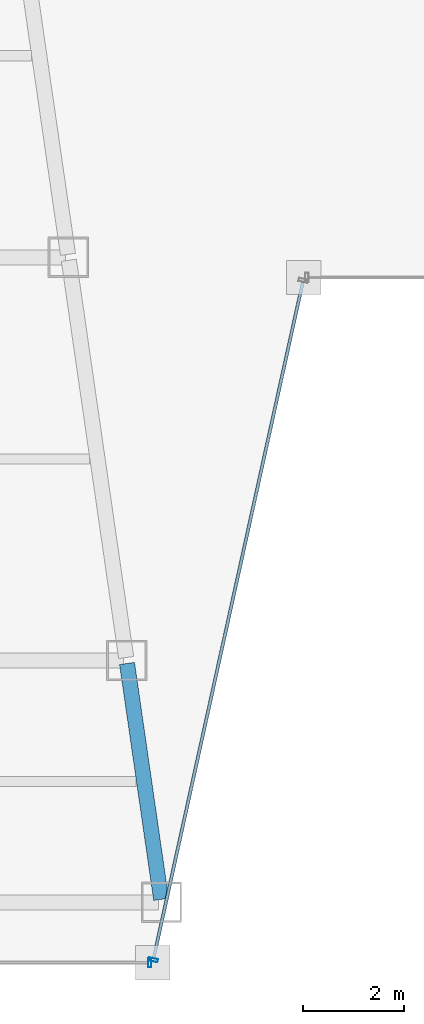
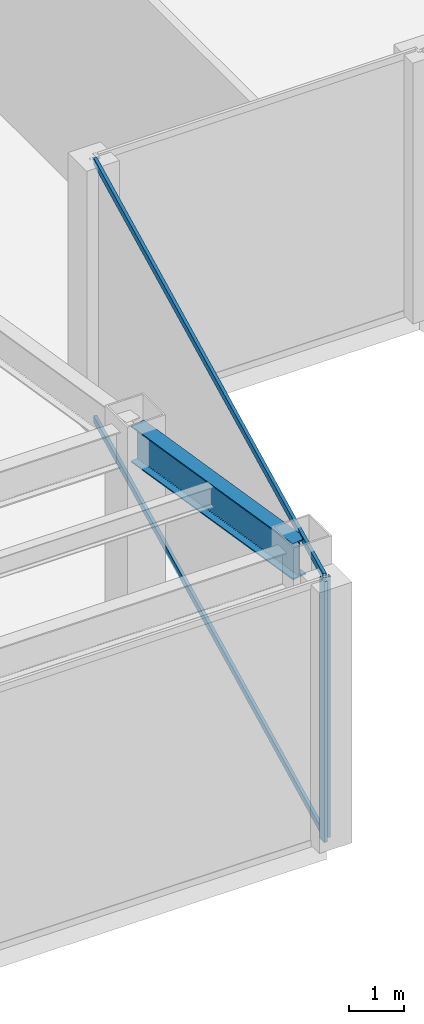
# One storey, part 7 of 35: 4 members, 1 beam, 2 elements without a shape of their own.
"""IFC4 building model written with IfcOpenShell, lengths in metres."""

from ifc_helpers import new_model, si_unit, direction, frame, origin, origin_2d, place, context, subcontext, project, spatial, hollow_rectangle, i_section, extrude, material, material_profile, profile_set, type_object, element, aggregate, save


model = new_model("IFC4")

# Units and contexts
model_context = context("Model", 3, precision=1e-05, world=origin(), true_north=direction((0.0, 1.0)))
body_context = subcontext(model_context, "Body", "Model", "MODEL_VIEW")
ifc_project = project(units=[si_unit("LENGTHUNIT", "METRE"), si_unit("AREAUNIT", "SQUARE_METRE"), si_unit("VOLUMEUNIT", "CUBIC_METRE"), si_unit("PLANEANGLEUNIT", "RADIAN"), si_unit("MASSUNIT", "GRAM", prefix="KILO")], contexts=[model_context])

# Site, building, storey
site_placement = place(None, origin())
site = spatial("IfcSite", under=ifc_project, at=site_placement, CompositionType="ELEMENT")
building_placement = place(site_placement, origin())
building = spatial("IfcBuilding", under=site, at=building_placement, Name="Saevonmaru Cultural Tower", CompositionType="ELEMENT")
storey_placement = place(building_placement, frame((0.0, 0.0, 86.800048828125)))
storey = spatial("IfcBuildingStorey", under=building, at=storey_placement, Name="L18", CompositionType="ELEMENT", Elevation=86.800048828125)

# Beam
ifc_material_1 = material(Name="Steel SM420", Category="steel")
ifc_material_profile_1 = material_profile(ifc_material_1, i_section(OverallWidth=0.300048828125, OverallDepth=0.800048828125, WebThickness=0.013916015625, FlangeThickness=0.02587890625, FilletRadius=0.028076171875, at=origin_2d()), Name="H-800x300x14x26")
ifc_profile_set_1 = profile_set([ifc_material_profile_1], Name="Steel SM420")
beam_type = type_object("IfcBeamType", Name="BM-G-H800", PredefinedType="BEAM", material=ifc_profile_set_1)
beam_placement = place(storey_placement, frame((23.768310546875, 3.259521484375, 5.349853515625), z_axis=(-0.143083234893, 0.989710658674, 0.0), x_axis=(-0.989710658674, -0.143083234893, 0.0)))
element("IfcBeam", 1, at=beam_placement, inside=storey, type_object=beam_type, Name="L18 West Atrium Girder 1", PredefinedType="BEAM", context=body_context, shape_type="SweptSolid", body=[
    extrude(i_section(OverallWidth=0.300048828125, OverallDepth=0.800048828125, WebThickness=0.013916015625, FlangeThickness=0.02587890625, FilletRadius=0.028076171875, at=origin_2d()), origin(), (0.0, 0.0, 1.0), 4.729736328125),
])

# Curtain wall, member
ifc_material_2 = material(Name="Satin Bronze Anodised Aluminium", Category="aluminium")
curtain_wall_type = type_object("IfcCurtainWallType", Name="CW-TYP-A", PredefinedType="NOTDEFINED", material=ifc_material_2)
curtain_wall_1_placement = place(storey_placement, origin())
curtain_wall_1 = element("IfcCurtainWall", 2, at=curtain_wall_1_placement, inside=storey, type_object=curtain_wall_type, Name="L18 Wind-Floor Acoustic Louvre Screen E2", PredefinedType="NOTDEFINED")
ifc_material_profile_2 = material_profile(ifc_material_2, hollow_rectangle(XDim=0.06494140625, YDim=0.179931640625, WallThickness=0.00390625, at=origin_2d()), Name="ALU-MULL-180x65x4")
ifc_profile_set_2 = profile_set([ifc_material_profile_2], Name="Satin Bronze Anodised Aluminium")
member_type_1 = type_object("IfcMemberType", Name="ML-CW-180x65", PredefinedType="MULLION", material=ifc_profile_set_2)
member_1_placement = place(storey_placement, frame((23.5400390625, 2.0, 0.0), z_axis=(0.0, 0.0, 1.0), x_axis=(1.0, 0.0, 0.0)))
member_1 = element("IfcMember", 3, at=member_1_placement, type_object=member_type_1, Name="CW-TW-L18-E2 mullion 2", PredefinedType="MULLION", context=body_context, shape_type="SweptSolid", body=[
    extrude(hollow_rectangle(XDim=0.06494140625, YDim=0.179931640625, WallThickness=0.00390625, at=origin_2d()), origin(), (0.0, 0.0, 1.0), 5.75),
])
aggregate(curtain_wall_1, [member_1])

# Curtain wall, members
curtain_wall_2_placement = place(storey_placement, origin())
curtain_wall_2 = element("IfcCurtainWall", 4, at=curtain_wall_2_placement, inside=storey, type_object=curtain_wall_type, Name="L18 Wind-Floor Acoustic Louvre Screen E3", PredefinedType="NOTDEFINED")
member_2_placement = place(storey_placement, frame((23.61279296875, 2.05859375, 0.0), z_axis=(0.0, 0.0, 1.0), x_axis=(0.215413319953, 0.976522965212, 0.0)))
member_2 = element("IfcMember", 5, at=member_2_placement, type_object=member_type_1, Name="CW-TW-L18-E3 mullion 1", PredefinedType="MULLION", context=body_context, shape_type="SweptSolid", body=[
    extrude(hollow_rectangle(XDim=0.06494140625, YDim=0.179931640625, WallThickness=0.00390625, at=origin_2d()), origin(), (0.0, 0.0, 1.0), 5.75),
])
ifc_material_profile_3 = material_profile(ifc_material_2, hollow_rectangle(XDim=0.06494140625, YDim=0.14990234375, WallThickness=0.00390625, at=origin_2d()), Name="ALU-TRAN-150x65x4")
ifc_profile_set_3 = profile_set([ifc_material_profile_3], Name="Satin Bronze Anodised Aluminium")
member_type_2 = type_object("IfcMemberType", Name="TR-CW-150x65", PredefinedType="USERDEFINED", material=ifc_profile_set_3)
member_3_placement = place(storey_placement, frame((23.619873046875, 2.09033203125, 0.032470703125), z_axis=(0.21541214732, 0.976523223885, 0.0), x_axis=(-0.976523223885, 0.21541214732, 0.0)))
member_3 = element("IfcMember", 6, at=member_3_placement, type_object=member_type_2, Name="CW-TW-L18-E3 transom 1.1", ObjectType="TRANSOM", PredefinedType="USERDEFINED", context=body_context, shape_type="SweptSolid", body=[
    extrude(hollow_rectangle(XDim=0.06494140625, YDim=0.14990234375, WallThickness=0.00390625, at=origin_2d()), origin(), (0.0, 0.0, 1.0), 13.741943359375),
])
member_4_placement = place(storey_placement, frame((23.619873046875, 2.09033203125, 5.717529296875), z_axis=(0.21541214732, 0.976523223885, 0.0), x_axis=(-0.976523223885, 0.21541214732, 0.0)))
member_4 = element("IfcMember", 7, at=member_4_placement, type_object=member_type_2, Name="CW-TW-L18-E3 transom 1.2", ObjectType="TRANSOM", PredefinedType="USERDEFINED", context=body_context, shape_type="SweptSolid", body=[
    extrude(hollow_rectangle(XDim=0.06494140625, YDim=0.14990234375, WallThickness=0.00390625, at=origin_2d()), origin(), (0.0, 0.0, 1.0), 13.741943359375),
])
aggregate(curtain_wall_2, [member_2, member_3, member_4])

save(model, "model.ifc")
